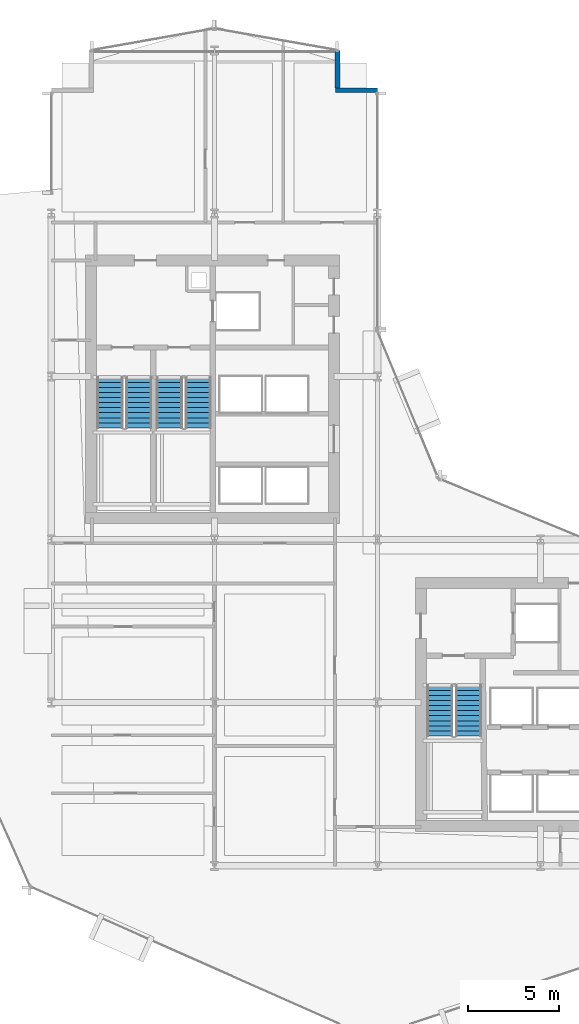
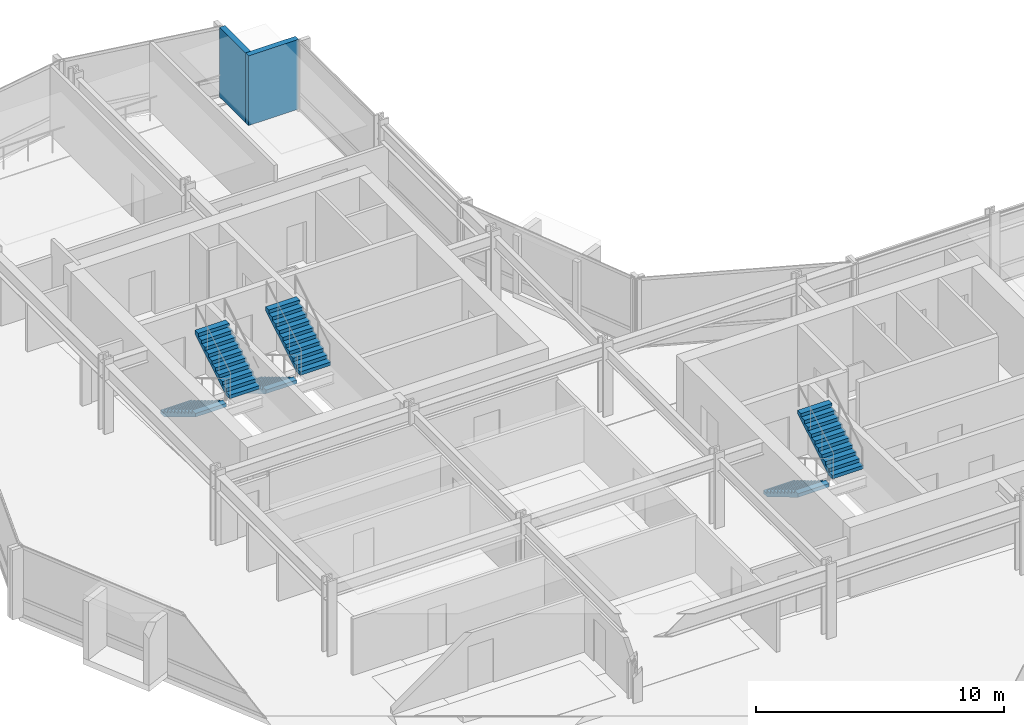
# One storey, part 29 of 34: 6 stair flights, 2 walls, 3 elements without a shape of their own.
"""IFC4 building model written with IfcOpenShell, lengths in metres."""

from ifc_helpers import new_model, si_unit, direction, frame, frame_2d, origin, place, context, subcontext, project, spatial, polyline, rectangle, outline, extrude, material, layer, layer_set, type_object, element, aggregate, save


model = new_model("IFC4")

# Units and contexts
model_context = context("Model", 3, precision=1e-05, world=origin(), true_north=direction((0.0, 1.0)))
body_context = subcontext(model_context, "Body", "Model", "MODEL_VIEW")
ifc_project = project(units=[si_unit("LENGTHUNIT", "METRE"), si_unit("AREAUNIT", "SQUARE_METRE"), si_unit("VOLUMEUNIT", "CUBIC_METRE"), si_unit("PLANEANGLEUNIT", "RADIAN"), si_unit("MASSUNIT", "GRAM", prefix="KILO")], contexts=[model_context])

# Site, building, storey
site_placement = place(None, origin())
site = spatial("IfcSite", under=ifc_project, at=site_placement, CompositionType="ELEMENT")
building_placement = place(site_placement, origin())
building = spatial("IfcBuilding", under=site, at=building_placement, Name="Solvaryn Broadcast Tower", CompositionType="ELEMENT")
storey_placement = place(building_placement, frame((0.0, 0.0, 61.89990234375)))
storey = spatial("IfcBuildingStorey", under=building, at=storey_placement, Name="L14", CompositionType="ELEMENT", Elevation=61.89990234375)

# Walls
ifc_material_1 = material(Name="Concrete f'c 50 MPa", Category="concrete")
ifc_layer_1 = layer(ifc_material_1, 0.260009765625)
ifc_layer_set_1 = layer_set([ifc_layer_1], Name="EW-PIER-260")
wall_type = type_object("IfcWallType", Name="EW-PIER-260", PredefinedType="SOLIDWALL", material=ifc_layer_set_1)
wall_1_placement = place(storey_placement, frame((24.800048828125, 54.0, 0.0), z_axis=(0.0, 0.0, 1.0), x_axis=(0.0, -1.0, 0.0)))
element("IfcWall", 1, at=wall_1_placement, inside=storey, type_object=wall_type, Name="L14 Notched Corner Pier Wall NNE1", PredefinedType="SOLIDWALL", context=body_context, shape_type="SweptSolid", body=[
    extrude(rectangle(XDim=2.080078125, YDim=0.260009765625, at=frame_2d((1.0400390625, 0.0))), origin(), (0.0, 0.0, 1.0), 3.420166015625),
])
wall_2_placement = place(storey_placement, frame((24.679931640625, 51.800048828125, 0.0), z_axis=(0.0, 0.0, 1.0), x_axis=(1.0, 0.0, 0.0)))
element("IfcWall", 2, at=wall_2_placement, inside=storey, type_object=wall_type, Name="L14 Notched Corner Pier Wall NNE2", PredefinedType="SOLIDWALL", context=body_context, shape_type="SweptSolid", body=[
    extrude(rectangle(XDim=2.320068359375, YDim=0.260009765625, at=frame_2d((1.16015625, 0.0))), origin(), (0.0, 0.0, 1.0), 3.420166015625),
])

# Stair, stair flights
ifc_material_2 = material(Name="Concrete f'c 60 MPa", Category="concrete")
stair_type = type_object("IfcStairType", Name="ST-CORE", PredefinedType="HALF_TURN_STAIR", material=ifc_material_2)
stair_1_placement = place(storey_placement, origin())
stair_1 = element("IfcStair", 3, at=stair_1_placement, inside=storey, type_object=stair_type, Name="L14 ST1", PredefinedType="HALF_TURN_STAIR")
ifc_material_3 = material(Name="Concrete f'c 60 MPa", Category="concrete")
ifc_layer_2 = layer(ifc_material_3, 0.159912109375)
ifc_layer_set_2 = layer_set([ifc_layer_2], Name="SF-CORE")
stair_flight_type = type_object("IfcStairFlightType", Name="SF-CORE", PredefinedType="STRAIGHT", material=ifc_layer_set_2)
stair_flight_1_placement = place(storey_placement, frame((12.239990234375, 35.9599609375, 0.0), z_axis=(0.0, 0.0, 1.0), x_axis=(0.0, -1.0, 0.0)))
stair_flight_1 = element("IfcStairFlight", 4, at=stair_flight_1_placement, type_object=stair_flight_type, Name="ST1 flight 1", NumberOfRisers=11, NumberOfTreads=10, PredefinedType="STRAIGHT", RiserHeight=0.168181818, TreadLength=0.28, context=body_context, shape_type="SweptSolid", body=[
    extrude(outline(polyline([(0.0, 0.0), (0.0, 0.168212890625), (0.280029296875, 0.168212890625), (0.280029296875, 0.33642578125), (0.56005859375, 0.33642578125), (0.56005859375, 0.504638671875), (0.840087890625, 0.504638671875), (0.840087890625, 0.672607421875), (1.1201171875, 0.672607421875), (1.1201171875, 0.8408203125), (1.39990234375, 0.8408203125), (1.39990234375, 1.009033203125), (1.679931640625, 1.009033203125), (1.679931640625, 1.17724609375), (1.9599609375, 1.17724609375), (1.9599609375, 1.345458984375), (2.239990234375, 1.345458984375), (2.239990234375, 1.513671875), (2.52001953125, 1.513671875), (2.52001953125, 1.681884765625), (2.800048828125, 1.681884765625), (2.800048828125, 1.85009765625), (2.800048828125, 1.5068359375), (0.291015625, 0.0), (0.0, 0.0)])), frame((0.0, 0.719970703125, 0.0), z_axis=(0.0, -1.0, 0.0), x_axis=(1.0, 0.0, 0.0)), (0.0, 0.0, 1.0), 1.43994140625),
])
stair_flight_2_placement = place(storey_placement, frame((13.830078125, 33.159912109375, 1.85009765625), z_axis=(0.0, 0.0, 1.0), x_axis=(0.0, 1.0, 0.0)))
stair_flight_2 = element("IfcStairFlight", 5, at=stair_flight_2_placement, type_object=stair_flight_type, Name="ST1 flight 2", NumberOfRisers=11, NumberOfTreads=10, PredefinedType="STRAIGHT", RiserHeight=0.168181818, TreadLength=0.28, context=body_context, shape_type="SweptSolid", body=[
    extrude(outline(polyline([(0.0, 0.0), (0.0, 0.168212890625), (0.280029296875, 0.168212890625), (0.280029296875, 0.33642578125), (0.56005859375, 0.33642578125), (0.56005859375, 0.504638671875), (0.840087890625, 0.504638671875), (0.840087890625, 0.672607421875), (1.1201171875, 0.672607421875), (1.1201171875, 0.8408203125), (1.39990234375, 0.8408203125), (1.39990234375, 1.009033203125), (1.679931640625, 1.009033203125), (1.679931640625, 1.17724609375), (1.9599609375, 1.17724609375), (1.9599609375, 1.345458984375), (2.239990234375, 1.345458984375), (2.239990234375, 1.513671875), (2.52001953125, 1.513671875), (2.52001953125, 1.681884765625), (2.800048828125, 1.681884765625), (2.800048828125, 1.85009765625), (2.800048828125, 1.5068359375), (0.291015625, 0.0), (0.0, 0.0)])), frame((0.0, 0.719970703125, 0.0), z_axis=(0.0, -1.0, 0.0), x_axis=(1.0, 0.0, 0.0)), (0.0, 0.0, 1.0), 1.43994140625),
])
aggregate(stair_1, [stair_flight_1, stair_flight_2])

stair_2_placement = place(storey_placement, origin())
stair_2 = element("IfcStair", 6, at=stair_2_placement, inside=storey, type_object=stair_type, Name="L14 ST2", PredefinedType="HALF_TURN_STAIR")
stair_flight_3_placement = place(storey_placement, frame((15.52001953125, 35.9599609375, 0.0), z_axis=(0.0, 0.0, 1.0), x_axis=(0.0, -1.0, 0.0)))
stair_flight_3 = element("IfcStairFlight", 7, at=stair_flight_3_placement, type_object=stair_flight_type, Name="ST2 flight 1", NumberOfRisers=11, NumberOfTreads=10, PredefinedType="STRAIGHT", RiserHeight=0.168181818, TreadLength=0.28, context=body_context, shape_type="SweptSolid", body=[
    extrude(outline(polyline([(0.0, 0.0), (0.0, 0.168212890625), (0.280029296875, 0.168212890625), (0.280029296875, 0.33642578125), (0.56005859375, 0.33642578125), (0.56005859375, 0.504638671875), (0.840087890625, 0.504638671875), (0.840087890625, 0.672607421875), (1.1201171875, 0.672607421875), (1.1201171875, 0.8408203125), (1.39990234375, 0.8408203125), (1.39990234375, 1.009033203125), (1.679931640625, 1.009033203125), (1.679931640625, 1.17724609375), (1.9599609375, 1.17724609375), (1.9599609375, 1.345458984375), (2.239990234375, 1.345458984375), (2.239990234375, 1.513671875), (2.52001953125, 1.513671875), (2.52001953125, 1.681884765625), (2.800048828125, 1.681884765625), (2.800048828125, 1.85009765625), (2.800048828125, 1.5068359375), (0.291015625, 0.0), (0.0, 0.0)])), frame((0.0, 0.719970703125, 0.0), z_axis=(0.0, -1.0, 0.0), x_axis=(1.0, 0.0, 0.0)), (0.0, 0.0, 1.0), 1.43994140625),
])
stair_flight_4_placement = place(storey_placement, frame((17.110107421875, 33.159912109375, 1.85009765625), z_axis=(0.0, 0.0, 1.0), x_axis=(0.0, 1.0, 0.0)))
stair_flight_4 = element("IfcStairFlight", 8, at=stair_flight_4_placement, type_object=stair_flight_type, Name="ST2 flight 2", NumberOfRisers=11, NumberOfTreads=10, PredefinedType="STRAIGHT", RiserHeight=0.168181818, TreadLength=0.28, context=body_context, shape_type="SweptSolid", body=[
    extrude(outline(polyline([(0.0, 0.0), (0.0, 0.168212890625), (0.280029296875, 0.168212890625), (0.280029296875, 0.33642578125), (0.56005859375, 0.33642578125), (0.56005859375, 0.504638671875), (0.840087890625, 0.504638671875), (0.840087890625, 0.672607421875), (1.1201171875, 0.672607421875), (1.1201171875, 0.8408203125), (1.39990234375, 0.8408203125), (1.39990234375, 1.009033203125), (1.679931640625, 1.009033203125), (1.679931640625, 1.17724609375), (1.9599609375, 1.17724609375), (1.9599609375, 1.345458984375), (2.239990234375, 1.345458984375), (2.239990234375, 1.513671875), (2.52001953125, 1.513671875), (2.52001953125, 1.681884765625), (2.800048828125, 1.681884765625), (2.800048828125, 1.85009765625), (2.800048828125, 1.5068359375), (0.291015625, 0.0), (0.0, 0.0)])), frame((0.0, 0.719970703125, 0.0), z_axis=(0.0, -1.0, 0.0), x_axis=(1.0, 0.0, 0.0)), (0.0, 0.0, 1.0), 1.43994140625),
])
aggregate(stair_2, [stair_flight_3, stair_flight_4])

stair_3_placement = place(storey_placement, origin())
stair_3 = element("IfcStair", 9, at=stair_3_placement, inside=storey, type_object=stair_type, Name="L14 ST3", PredefinedType="HALF_TURN_STAIR")
stair_flight_5_placement = place(storey_placement, frame((30.43994140625, 18.9599609375, 0.0), z_axis=(0.0, 0.0, 1.0), x_axis=(0.0, -1.0, 0.0)))
stair_flight_5 = element("IfcStairFlight", 10, at=stair_flight_5_placement, type_object=stair_flight_type, Name="ST3 flight 1", NumberOfRisers=11, NumberOfTreads=10, PredefinedType="STRAIGHT", RiserHeight=0.168181818, TreadLength=0.28, context=body_context, shape_type="SweptSolid", body=[
    extrude(outline(polyline([(0.0, 0.0), (0.0, 0.168212890625), (0.280029296875, 0.168212890625), (0.280029296875, 0.33642578125), (0.56005859375, 0.33642578125), (0.56005859375, 0.504638671875), (0.840087890625, 0.504638671875), (0.840087890625, 0.672607421875), (1.1201171875, 0.672607421875), (1.1201171875, 0.8408203125), (1.39990234375, 0.8408203125), (1.39990234375, 1.009033203125), (1.679931640625, 1.009033203125), (1.679931640625, 1.17724609375), (1.9599609375, 1.17724609375), (1.9599609375, 1.345458984375), (2.239990234375, 1.345458984375), (2.239990234375, 1.513671875), (2.52001953125, 1.513671875), (2.52001953125, 1.681884765625), (2.800048828125, 1.681884765625), (2.800048828125, 1.85009765625), (2.800048828125, 1.5068359375), (0.291015625, 0.0), (0.0, 0.0)])), frame((0.0, 0.719970703125, 0.0), z_axis=(0.0, -1.0, 0.0), x_axis=(1.0, 0.0, 0.0)), (0.0, 0.0, 1.0), 1.43994140625),
])
stair_flight_6_placement = place(storey_placement, frame((32.030029296875, 16.159912109375, 1.85009765625), z_axis=(0.0, 0.0, 1.0), x_axis=(0.0, 1.0, 0.0)))
stair_flight_6 = element("IfcStairFlight", 11, at=stair_flight_6_placement, type_object=stair_flight_type, Name="ST3 flight 2", NumberOfRisers=11, NumberOfTreads=10, PredefinedType="STRAIGHT", RiserHeight=0.168181818, TreadLength=0.28, context=body_context, shape_type="SweptSolid", body=[
    extrude(outline(polyline([(0.0, 0.0), (0.0, 0.168212890625), (0.280029296875, 0.168212890625), (0.280029296875, 0.33642578125), (0.56005859375, 0.33642578125), (0.56005859375, 0.504638671875), (0.840087890625, 0.504638671875), (0.840087890625, 0.672607421875), (1.1201171875, 0.672607421875), (1.1201171875, 0.8408203125), (1.39990234375, 0.8408203125), (1.39990234375, 1.009033203125), (1.679931640625, 1.009033203125), (1.679931640625, 1.17724609375), (1.9599609375, 1.17724609375), (1.9599609375, 1.345458984375), (2.239990234375, 1.345458984375), (2.239990234375, 1.513671875), (2.52001953125, 1.513671875), (2.52001953125, 1.681884765625), (2.800048828125, 1.681884765625), (2.800048828125, 1.85009765625), (2.800048828125, 1.5068359375), (0.291015625, 0.0), (0.0, 0.0)])), frame((0.0, 0.719970703125, 0.0), z_axis=(0.0, -1.0, 0.0), x_axis=(1.0, 0.0, 0.0)), (0.0, 0.0, 1.0), 1.43994140625),
])
aggregate(stair_3, [stair_flight_5, stair_flight_6])

save(model, "model.ifc")
